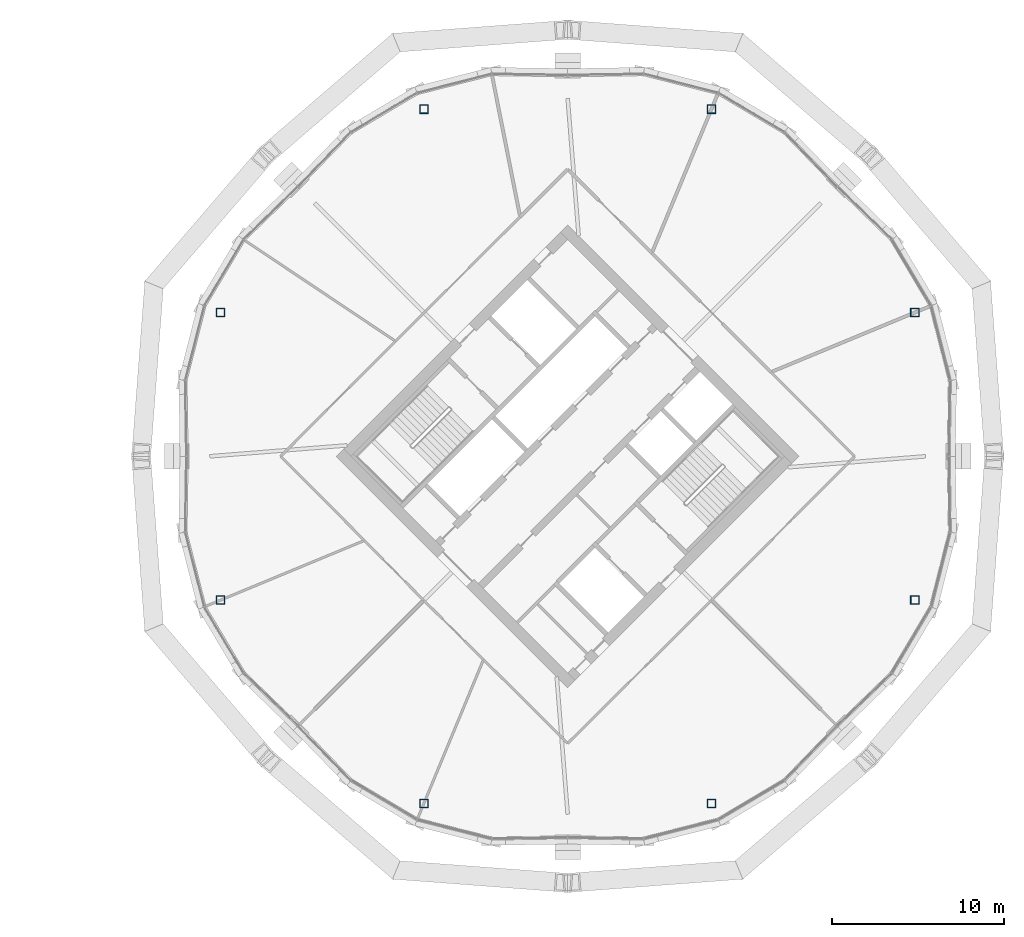
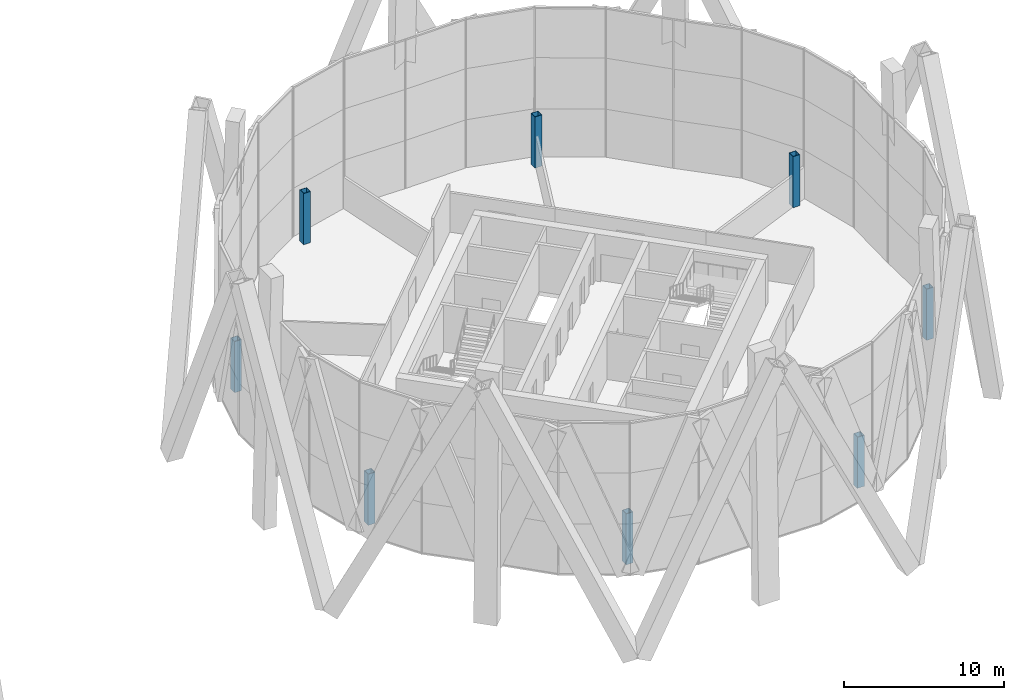
# One storey, part 2 of 23: 8 columns.
"""IFC4 building model written with IfcOpenShell, lengths in metres."""

from ifc_helpers import new_model, si_unit, direction, frame, origin, origin_2d, place, context, subcontext, project, spatial, hollow_rectangle, extrude, material, material_profile, profile_set, type_object, element, save


model = new_model("IFC4")

# Units and contexts
model_context = context("Model", 3, precision=1e-05, world=origin(), true_north=direction((0.0, 1.0)))
body_context = subcontext(model_context, "Body", "Model", "MODEL_VIEW")
ifc_project = project(units=[si_unit("LENGTHUNIT", "METRE"), si_unit("AREAUNIT", "SQUARE_METRE"), si_unit("VOLUMEUNIT", "CUBIC_METRE"), si_unit("PLANEANGLEUNIT", "RADIAN"), si_unit("MASSUNIT", "GRAM", prefix="KILO")], contexts=[model_context])

# Site, building, storey
site_placement = place(None, origin())
site = spatial("IfcSite", under=ifc_project, at=site_placement, CompositionType="ELEMENT")
building_placement = place(site_placement, origin())
building = spatial("IfcBuilding", under=site, at=building_placement, Name="Ogive Gate Towers", CompositionType="ELEMENT")
storey_placement = place(building_placement, frame((0.0, 0.0, 165.60009765625)))
storey = spatial("IfcBuildingStorey", under=building, at=storey_placement, Name="L39", CompositionType="ELEMENT", Elevation=165.60009765625)

# Columns
ifc_material = material(Name="Steel SM460", Category="steel")
ifc_material_profile = material_profile(ifc_material, hollow_rectangle(XDim=0.5, YDim=0.5, WallThickness=0.030029296875, at=origin_2d()), Name="BX 500x500x30")
ifc_profile_set = profile_set([ifc_material_profile], Name="Steel SM460")
column_type = type_object("IfcColumnType", Name="Perimeter post BX 500x500x30", PredefinedType="COLUMN", material=ifc_profile_set)
for number, where, z_axis, x_axis, name in (
    (1, (56.14990234375, 8.346435546875, 0.0), (0.0, 0.0, 1.0), (1.0, 0.0, 0.0), "T2/L39/SCL001"),
    (2, (44.346435546875, 20.14990234375, 0.0), (0.0, 0.0, 1.0), (1.0, 0.0, 0.0), "T2/L39/SCL002"),
    (3, (27.653564453125, 20.14990234375, 0.0), (0.0, 0.0, 1.0), (1.0, 0.0, 0.0), "T2/L39/SCL003"),
    (4, (15.85009765625, 8.346435546875, 0.0), (0.0, 0.0, 1.0), (1.0, 0.0, 0.0), "T2/L39/SCL004"),
    (5, (15.85009765625, -8.346435546875, 0.0), (0.0, 0.0, 1.0), (1.0, 0.0, 0.0), "T2/L39/SCL005"),
    (6, (27.653564453125, -20.14990234375, 0.0), (0.0, 0.0, 1.0), (1.0, 0.0, 0.0), "T2/L39/SCL006"),
    (7, (44.346435546875, -20.14990234375, 0.0), (0.0, 0.0, 1.0), (1.0, 0.0, 0.0), "T2/L39/SCL007"),
    (8, (56.14990234375, -8.346435546875, 0.0), (0.0, 0.0, 1.0), (1.0, 0.0, 0.0), "T2/L39/SCL008"),
):
    element("IfcColumn", number, at=place(storey_placement, frame(where, z_axis=z_axis, x_axis=x_axis)), inside=storey, type_object=column_type, Name=name, PredefinedType="COLUMN", context=body_context, shape_type="SweptSolid", body=[
        extrude(hollow_rectangle(XDim=0.5, YDim=0.5, WallThickness=0.030029296875, at=origin_2d()), origin(), (0.0, 0.0, 1.0), 3.89990234375),
    ])

save(model, "model.ifc")
